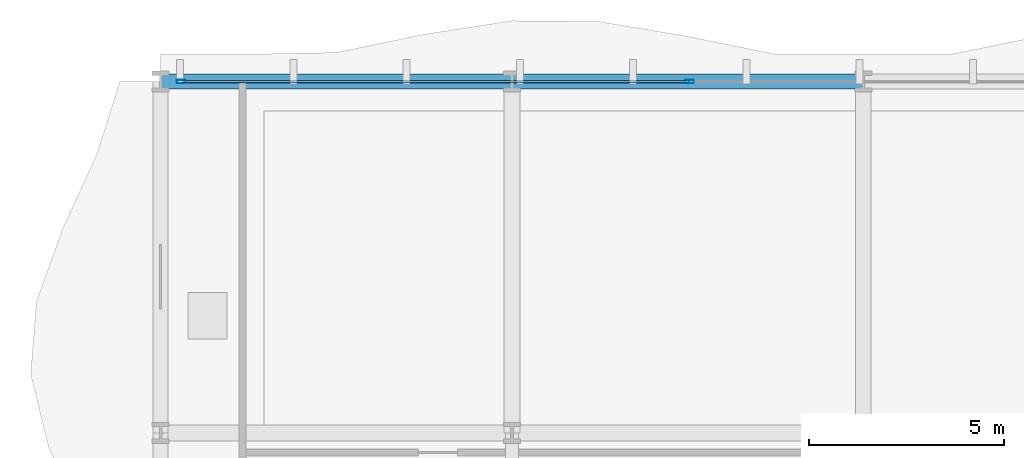
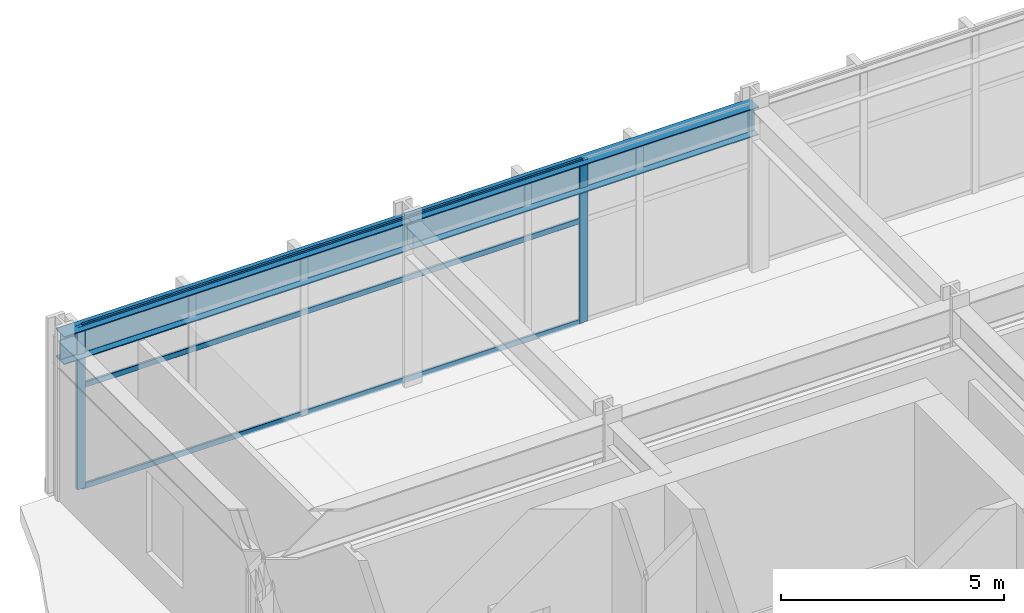
# One storey, part 15 of 31: 5 members, 2 beams, 1 element without a shape of its own.
"""IFC4 building model written with IfcOpenShell, lengths in metres."""

from ifc_helpers import new_model, si_unit, direction, frame, origin, origin_2d, place, context, subcontext, project, spatial, hollow_rectangle, i_section, extrude, material, layer, layer_set, material_profile, profile_set, type_object, element, aggregate, save


model = new_model("IFC4")

# Units and contexts
model_context = context("Model", 3, precision=1e-05, world=origin(), true_north=direction((0.0, 1.0)))
body_context = subcontext(model_context, "Body", "Model", "MODEL_VIEW")
ifc_project = project(units=[si_unit("LENGTHUNIT", "METRE"), si_unit("AREAUNIT", "SQUARE_METRE"), si_unit("VOLUMEUNIT", "CUBIC_METRE"), si_unit("PLANEANGLEUNIT", "RADIAN"), si_unit("MASSUNIT", "GRAM", prefix="KILO")], contexts=[model_context])

# Site, building, storey
site_placement = place(None, origin())
site = spatial("IfcSite", under=ifc_project, at=site_placement, CompositionType="ELEMENT")
building_placement = place(site_placement, origin())
building = spatial("IfcBuilding", under=site, at=building_placement, Name="Solvaryn Broadcast Tower", CompositionType="ELEMENT")
storey_placement = place(building_placement, frame((0.0, 0.0, 26.0)))
storey = spatial("IfcBuildingStorey", under=building, at=storey_placement, Name="L05", CompositionType="ELEMENT", Elevation=26.0)

# Beams
ifc_material_1 = material(Name="Steel ASTM A992 Grade 50", Category="steel")
ifc_material_profile_1 = material_profile(ifc_material_1, i_section(OverallWidth=0.381103515625, OverallDepth=0.77294921875, WebThickness=0.0166015625, FlangeThickness=0.027099609375, FilletRadius=0.01806640625, at=origin_2d()))
ifc_profile_set_1 = profile_set([ifc_material_profile_1], Name="Steel ASTM A992 Grade 50")
beam_type = type_object("IfcBeamType", Name="BM-SP1-W30X173", PredefinedType="USERDEFINED", material=ifc_profile_set_1)
for number, where, z_axis, x_axis, name in (
    (1, (9.0, 54.0, 4.053466796875), (1.0, 0.0, 0.0), (0.0, 1.0, 0.0), "L05 Spandrel Beam X (9-18 @ Y=54)"),
    (2, (18.0, 54.0, 4.053466796875), (1.0, 0.0, 0.0), (0.0, 1.0, 0.0), "L05 Spandrel Beam X (18-27 @ Y=54)"),
):
    element("IfcBeam", number, at=place(storey_placement, frame(where, z_axis=z_axis, x_axis=x_axis)), inside=storey, type_object=beam_type, Name=name, ObjectType="SPANDREL", PredefinedType="USERDEFINED", context=body_context, shape_type="SweptSolid", body=[
        extrude(i_section(OverallWidth=0.381103515625, OverallDepth=0.77294921875, WebThickness=0.0166015625, FlangeThickness=0.027099609375, FilletRadius=0.01806640625, at=origin_2d()), origin(), (0.0, 0.0, 1.0), 9.0),
    ])

# Curtain wall, members
ifc_material_2 = material(Name="Aluminium and Terracotta Unitised Curtain Wall", Category="masonry")
ifc_layer = layer(ifc_material_2, 0.219970703125)
ifc_layer_set = layer_set([ifc_layer], Name="CW-SYS1-PODIUM")
curtain_wall_type = type_object("IfcCurtainWallType", Name="CW-SYS1-PODIUM", PredefinedType="NOTDEFINED", material=ifc_layer_set)
curtain_wall_placement = place(storey_placement, origin())
curtain_wall = element("IfcCurtainWall", 3, at=curtain_wall_placement, inside=storey, type_object=curtain_wall_type, Name="L05 Podium Curtain Wall N1", PredefinedType="NOTDEFINED")
ifc_material_3 = material(Name="Anodised Aluminium 6063-T6", Category="aluminium")
ifc_material_profile_2 = material_profile(ifc_material_3, hollow_rectangle(XDim=0.0849609375, YDim=0.219970703125, WallThickness=0.0048828125, InnerFilletRadius=0.0048828125, OuterFilletRadius=0.010009765625, at=origin_2d()))
ifc_profile_set_2 = profile_set([ifc_material_profile_2], Name="Anodised Aluminium 6063-T6")
member_type_1 = type_object("IfcMemberType", Name="CW-MUL-220", PredefinedType="MULLION", material=ifc_profile_set_2)
member_1_placement = place(storey_placement, frame((9.530029296875, 54.0, 0.0), z_axis=(0.0, 0.0, 1.0), x_axis=(0.0, 1.0, 0.0)))
member_1 = element("IfcMember", 4, at=member_1_placement, type_object=member_type_1, Name="CWS1 mullion 1", PredefinedType="MULLION", context=body_context, shape_type="SweptSolid", body=[
    extrude(hollow_rectangle(XDim=0.0849609375, YDim=0.219970703125, WallThickness=0.0048828125, InnerFilletRadius=0.0048828125, OuterFilletRadius=0.010009765625, at=origin_2d()), origin(), (0.0, 0.0, 1.0), 4.43994140625),
])
member_2_placement = place(storey_placement, frame((22.550048828125, 54.0, 0.0), z_axis=(0.0, 0.0, 1.0), x_axis=(0.0, 1.0, 0.0)))
member_2 = element("IfcMember", 5, at=member_2_placement, type_object=member_type_1, Name="CWS1 mullion 2", PredefinedType="MULLION", context=body_context, shape_type="SweptSolid", body=[
    extrude(hollow_rectangle(XDim=0.0849609375, YDim=0.219970703125, WallThickness=0.0048828125, InnerFilletRadius=0.0048828125, OuterFilletRadius=0.010009765625, at=origin_2d()), origin(), (0.0, 0.0, 1.0), 4.43994140625),
])
ifc_material_4 = material(Name="Anodised Aluminium 6063-T6", Category="aluminium")
ifc_material_profile_3 = material_profile(ifc_material_4, hollow_rectangle(XDim=0.06494140625, YDim=0.14990234375, WallThickness=0.00390625, InnerFilletRadius=0.00390625, OuterFilletRadius=0.008056640625, at=origin_2d()))
ifc_profile_set_3 = profile_set([ifc_material_profile_3], Name="Anodised Aluminium 6063-T6")
member_type_2 = type_object("IfcMemberType", Name="CW-TRN-150", PredefinedType="USERDEFINED", material=ifc_profile_set_3)
member_3_placement = place(storey_placement, frame((9.56005859375, 54.0, 0.030029296875), z_axis=(1.0, 0.0, 0.0), x_axis=(0.0, 1.0, 0.0)))
member_3 = element("IfcMember", 6, at=member_3_placement, type_object=member_type_2, Name="CWS1 transom 1.1", ObjectType="TRANSOM", PredefinedType="USERDEFINED", context=body_context, shape_type="SweptSolid", body=[
    extrude(hollow_rectangle(XDim=0.06494140625, YDim=0.14990234375, WallThickness=0.00390625, InnerFilletRadius=0.00390625, OuterFilletRadius=0.008056640625, at=origin_2d()), origin(), (0.0, 0.0, 1.0), 12.9599609375),
])
member_4_placement = place(storey_placement, frame((9.56005859375, 54.0, 2.800048828125), z_axis=(1.0, 0.0, 0.0), x_axis=(0.0, 1.0, 0.0)))
member_4 = element("IfcMember", 7, at=member_4_placement, type_object=member_type_2, Name="CWS1 transom 1.2", ObjectType="TRANSOM", PredefinedType="USERDEFINED", context=body_context, shape_type="SweptSolid", body=[
    extrude(hollow_rectangle(XDim=0.06494140625, YDim=0.14990234375, WallThickness=0.00390625, InnerFilletRadius=0.00390625, OuterFilletRadius=0.008056640625, at=origin_2d()), origin(), (0.0, 0.0, 1.0), 12.9599609375),
])
member_5_placement = place(storey_placement, frame((9.56005859375, 54.0, 4.409912109375), z_axis=(1.0, 0.0, 0.0), x_axis=(0.0, 1.0, 0.0)))
member_5 = element("IfcMember", 8, at=member_5_placement, type_object=member_type_2, Name="CWS1 transom 1.3", ObjectType="TRANSOM", PredefinedType="USERDEFINED", context=body_context, shape_type="SweptSolid", body=[
    extrude(hollow_rectangle(XDim=0.06494140625, YDim=0.14990234375, WallThickness=0.00390625, InnerFilletRadius=0.00390625, OuterFilletRadius=0.008056640625, at=origin_2d()), origin(), (0.0, 0.0, 1.0), 12.9599609375),
])
aggregate(curtain_wall, [member_1, member_2, member_3, member_4, member_5])

save(model, "model.ifc")
